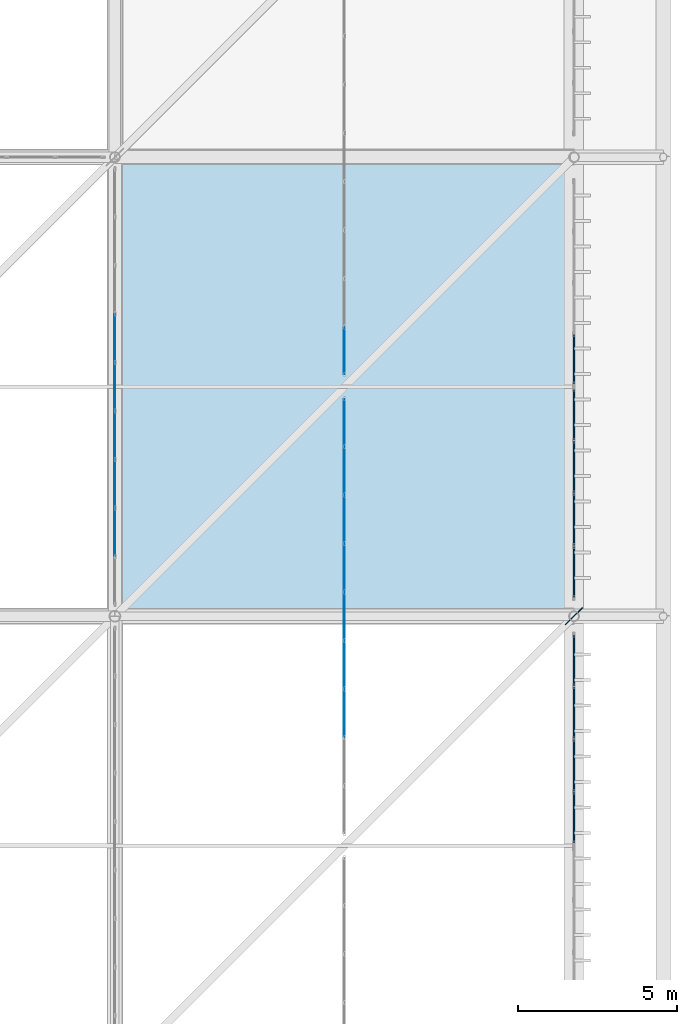
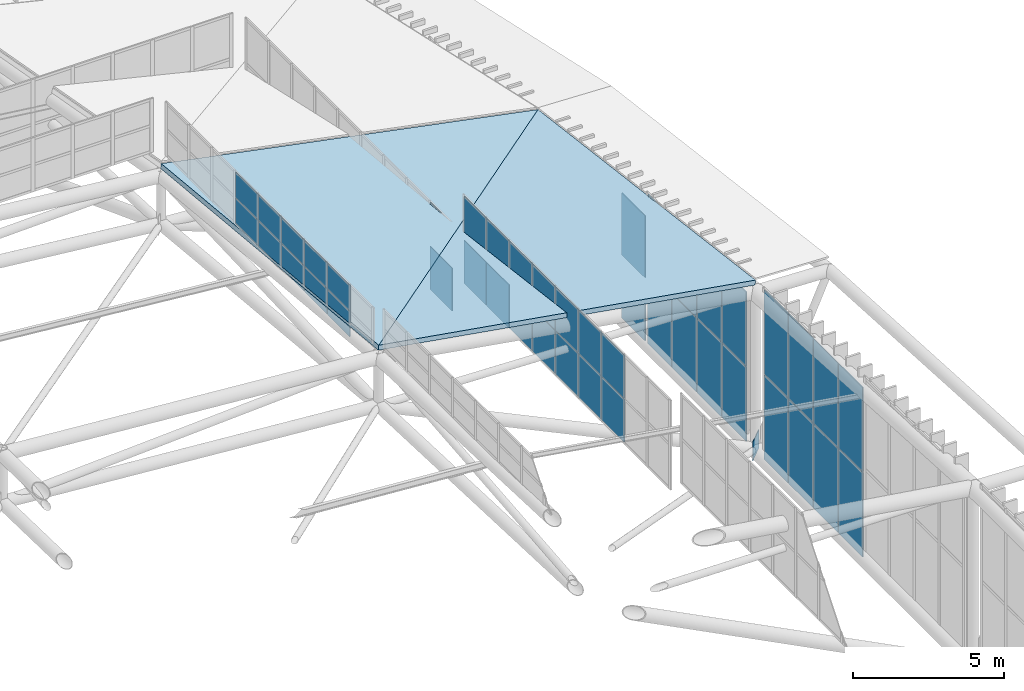
# One storey, part 380 of 397: 45 plates, 2 slabs, 6 elements without a shape of their own.
"""IFC4 building model written with IfcOpenShell, lengths in metres."""

import ifcopenshell
import ifcopenshell.guid

model = None  # the IFC model being written
_history = None  # IfcOwnerHistory: only IFC2X3 demands one
_inside = {}  # id of a spatial element -> (the spatial element, [elements in it])
_under = {}  # id of a project, library or spatial element -> (it, [spatial elements below it])
_declared = {}  # id of a project -> (the project, [libraries it declares])
_typed = {}  # id of a type object -> (the type object, [elements of that type])
_made_of = {}  # id of a material, layer set ... -> (it, [elements and type objects made of it])


def new_model(schema):
    """Start an empty IFC model of exactly this schema.

    Asked for "IFC4X3", IfcOpenShell would pick the latest addendum, in which some entities
    have other attributes; the version numbers below select the first issue.
    IFC2X3 requires an IfcOwnerHistory on every rooted entity: one is made here for all.
    """
    global model, _history
    if schema == "IFC4X3":
        model = ifcopenshell.file(schema_version=(4, 3, 0, 0))
    else:
        model = ifcopenshell.file(schema=schema)
    _inside.clear()
    _under.clear()
    _declared.clear()
    _typed.clear()
    _made_of.clear()
    _history = None
    if model.schema == "IFC2X3":
        org = make("IfcOrganization", Name="unknown")
        user = make(
            "IfcPersonAndOrganization",
            ThePerson=make("IfcPerson", FamilyName="unknown"),
            TheOrganization=org,
        )
        app = make(
            "IfcApplication",
            ApplicationDeveloper=org,
            Version="unknown",
            ApplicationFullName="unknown",
            ApplicationIdentifier="unknown",
        )
        _history = make(
            "IfcOwnerHistory",
            OwningUser=user,
            OwningApplication=app,
            ChangeAction="ADDED",
            CreationDate=0,
        )
    return model


def make(cls, **values):
    """One entity of the class cls with the attributes given. An attribute that is None is left unset."""
    return model.create_entity(
        cls, **{name: value for name, value in values.items() if value is not None}
    )


def rooted(cls, **values):
    """An entity with a GlobalId (a new one), such as an element, a storey or a relation."""
    return make(cls, GlobalId=ifcopenshell.guid.new(), OwnerHistory=_history, **values)


def si_unit(unit_type, name, prefix=None):
    """IfcSIUnit, for example si_unit("LENGTHUNIT", "METRE", prefix="MILLI")."""
    return make("IfcSIUnit", UnitType=unit_type, Prefix=prefix, Name=name)


def assignment(units):
    """IfcUnitAssignment: the units of a project."""
    return None if units is None else make("IfcUnitAssignment", Units=units)


def point(xyz):
    """IfcCartesianPoint."""
    return None if xyz is None else make("IfcCartesianPoint", Coordinates=xyz)


def direction(xyz):
    """IfcDirection."""
    return None if xyz is None else make("IfcDirection", DirectionRatios=xyz)


def frame(location, z_axis=None, x_axis=None):
    """IfcAxis2Placement3D, a coordinate frame: its origin and axes. An axis left out is left unset."""
    return make(
        "IfcAxis2Placement3D",
        Location=point(location),
        Axis=direction(z_axis),
        RefDirection=direction(x_axis),
    )


def frame_2d(location, x_axis=None):
    """IfcAxis2Placement2D, a coordinate frame in the plane: its origin and x axis."""
    return make(
        "IfcAxis2Placement2D", Location=point(location), RefDirection=direction(x_axis)
    )


def origin():
    """The frame at (0, 0, 0) with its axes left unset."""
    return frame((0.0, 0.0, 0.0))


def origin_2d():
    """The frame at (0, 0) in the plane with its x axis left unset."""
    return frame_2d((0.0, 0.0))


def place(relative_to, where):
    """IfcLocalPlacement: puts the frame where relative to a parent placement (None: the world)."""
    return make(
        "IfcLocalPlacement", PlacementRelTo=relative_to, RelativePlacement=where
    )


def context(
    kind, dimensions, precision=None, world=None, true_north=None, identifier=None
):
    """IfcGeometricRepresentationContext, for example the 3D "Model" context."""
    return make(
        "IfcGeometricRepresentationContext",
        ContextIdentifier=identifier,
        ContextType=kind,
        CoordinateSpaceDimension=dimensions,
        Precision=precision,
        WorldCoordinateSystem=world,
        TrueNorth=true_north,
    )


def subcontext(parent, identifier, kind, view, scale=None):
    """IfcGeometricRepresentationSubContext, for example "Body" below "Model"."""
    return make(
        "IfcGeometricRepresentationSubContext",
        ContextIdentifier=identifier,
        ContextType=kind,
        ParentContext=parent,
        TargetScale=scale,
        TargetView=view,
    )


def project(units=None, contexts=None):
    """IfcProject with its units and contexts."""
    return rooted(
        "IfcProject",
        Name="project",
        RepresentationContexts=contexts,
        UnitsInContext=assignment(units),
    )


def spatial(cls, under=None, at=None, **own):
    """A site, building, storey or space (cls), placed at a placement, below another one or the project."""
    s = rooted(cls, ObjectPlacement=at, **own)
    if under is not None:
        _under.setdefault(under.id(), (under, []))[1].append(s)
    return s


def polyline(points):
    """IfcPolyline through the points."""
    return make("IfcPolyline", Points=[point(p) for p in points])


def profile(cls, at=None, kind="AREA", **sizes):
    """A parametric profile (cls). Its sizes go by their IFC names, for example OverallWidth=200.0."""
    return make(cls, ProfileType=kind, Position=at, **sizes)


def rectangle(**sizes):
    """IfcRectangleProfileDef."""
    return profile("IfcRectangleProfileDef", **sizes)


def outline(outer, holes=None, kind="AREA"):
    """IfcArbitraryClosedProfileDef: a profile drawn as a closed curve; with holes, ...WithVoids."""
    if holes is None:
        return make("IfcArbitraryClosedProfileDef", ProfileType=kind, OuterCurve=outer)
    return make(
        "IfcArbitraryProfileDefWithVoids",
        ProfileType=kind,
        OuterCurve=outer,
        InnerCurves=holes,
    )


def extrude(swept, where, along, depth):
    """IfcExtrudedAreaSolid: the profile swept, set in the frame where, extruded along a direction by depth."""
    return make(
        "IfcExtrudedAreaSolid",
        SweptArea=swept,
        Position=where,
        ExtrudedDirection=direction(along),
        Depth=depth,
    )


def shape(context_of_items, identifier, shape_type, items):
    """IfcShapeRepresentation: the items that make up one representation, for example the "Body"."""
    return make(
        "IfcShapeRepresentation",
        ContextOfItems=context_of_items,
        RepresentationIdentifier=identifier,
        RepresentationType=shape_type,
        Items=items,
    )


def material(Name=None, Category=None):
    """IfcMaterial."""
    return make("IfcMaterial", Name=Name, Category=Category)


def layer(
    of_material, thickness, ventilated=None, Name=None, Category=None, Priority=None
):
    """IfcMaterialLayer: one layer of a wall or slab, of a material (None: an air gap)."""
    return make(
        "IfcMaterialLayer",
        Material=of_material,
        LayerThickness=thickness,
        IsVentilated=ventilated,
        Name=Name,
        Category=Category,
        Priority=Priority,
    )


def layer_set(layers, Name=None):
    """IfcMaterialLayerSet."""
    return make("IfcMaterialLayerSet", MaterialLayers=layers, LayerSetName=Name)


def made_of(thing, what):
    """Note that an element or type object is made of a material, layer set ...; save() writes the relation."""
    if what is not None:
        _made_of.setdefault(what.id(), (what, []))[1].append(thing)
    return thing


def type_object(cls, material=None, **own):
    """A type object (cls), such as IfcWallType, which elements share."""
    return made_of(rooted(cls, **own), material)


def element(
    cls,
    number,
    at=None,
    inside=None,
    cuts=None,
    type_object=None,
    material=None,
    context=None,
    identifier="Body",
    shape_type=None,
    held_by="IfcProductDefinitionShape",
    body=None,
    shapes=None,
    **own,
):
    """One element of the class cls, such as IfcWall. Its Tag is "e" and its number.

    at: its placement. inside: the storey or other place that contains it. cuts: it is an
    opening in that element (IfcRelVoidsElement). A single representation is given by context,
    identifier, shape_type and body (its items); several are given by shapes. held_by: the class
    of the entity that holds the representations. save() writes the other relations.
    """
    e = rooted(cls, Tag="e%d" % number, ObjectPlacement=at, **own)
    if body is not None:
        shapes = [shape(context, identifier, shape_type, body)]
    if shapes is not None:
        e.Representation = make(held_by, Representations=shapes)
    if inside is not None:
        _inside.setdefault(inside.id(), (inside, []))[1].append(e)
    if cuts is not None:
        rooted(
            "IfcRelVoidsElement", RelatingBuildingElement=cuts, RelatedOpeningElement=e
        )
    if type_object is not None:
        _typed.setdefault(type_object.id(), (type_object, []))[1].append(e)
    return made_of(e, material)


def aggregate(whole, parts):
    """IfcRelAggregates: a whole, such as a stair, and the parts it consists of."""
    return rooted("IfcRelAggregates", RelatingObject=whole, RelatedObjects=parts)


def save(model, path):
    """Write the relations noted so far, then the file.

    IfcRelAggregates (storeys below a building ...), IfcRelContainedInSpatialStructure (elements
    in a storey), IfcRelDefinesByType, IfcRelAssociatesMaterial and IfcRelDeclares: one each for
    every whole, place, type object, material and project.
    """
    for whole, parts in _under.values():
        aggregate(whole, parts)
    for where, things in _inside.values():
        rooted(
            "IfcRelContainedInSpatialStructure",
            RelatedElements=things,
            RelatingStructure=where,
        )
    for kind, things in _typed.values():
        rooted("IfcRelDefinesByType", RelatedObjects=things, RelatingType=kind)
    for what, things in _made_of.values():
        rooted("IfcRelAssociatesMaterial", RelatedObjects=things, RelatingMaterial=what)
    for by, libraries in _declared.values():
        rooted("IfcRelDeclares", RelatingContext=by, RelatedDefinitions=libraries)
    model.write(path)


model = new_model("IFC4")

# Units and contexts
model_context = context("Model", 3, precision=1e-05, world=origin(), true_north=direction((0.0, 1.0)))
body_context = subcontext(model_context, "Body", "Model", "MODEL_VIEW")
ifc_project = project(units=[si_unit("LENGTHUNIT", "METRE"), si_unit("AREAUNIT", "SQUARE_METRE"), si_unit("VOLUMEUNIT", "CUBIC_METRE"), si_unit("PLANEANGLEUNIT", "RADIAN"), si_unit("MASSUNIT", "GRAM", prefix="KILO")], contexts=[model_context])

# Site, building, storey
site_placement = place(None, origin())
site = spatial("IfcSite", under=ifc_project, at=site_placement, CompositionType="ELEMENT")
building_placement = place(site_placement, origin())
building = spatial("IfcBuilding", under=site, at=building_placement, Name="Qandorah Velis Arena", CompositionType="ELEMENT")
storey_placement = place(building_placement, frame((0.0, 0.0, 27.5)))
storey = spatial("IfcBuildingStorey", under=building, at=storey_placement, Name="RF", CompositionType="ELEMENT", Elevation=27.5)

# Curtain wall, plates
ifc_material_1 = material(Name="Solar-control low-E double glazing", Category="glass")
curtain_wall_type_1 = type_object("IfcCurtainWallType", Name="ARC-CW-SYS17", PredefinedType="USERDEFINED", material=ifc_material_1)
curtain_wall_1_placement = place(storey_placement, origin())
curtain_wall_1 = element("IfcCurtainWall", 1, at=curtain_wall_1_placement, inside=storey, type_object=curtain_wall_type_1, Name="Unitised curtain wall MON-2-5", ObjectType="UNITISED CURTAIN WALL", PredefinedType="USERDEFINED")
ifc_layer_1 = layer(ifc_material_1, 0.030029296875)
ifc_layer_set_1 = layer_set([ifc_layer_1], Name="Solar-control low-E double glazing")
plate_type_1 = type_object("IfcPlateType", Name="ARC-CWP-GLZ30", PredefinedType="CURTAIN_PANEL", material=ifc_layer_set_1)
plate_1_placement = place(storey_placement, frame((108.0, 83.35546875, 5.1943359375), z_axis=(0.0, 0.0, 1.0), x_axis=(0.0, 1.0, 0.0)))
plate_1 = element("IfcPlate", 2, at=plate_1_placement, type_object=plate_type_1, Name="CW17 panel 3.1", PredefinedType="CURTAIN_PANEL", context=body_context, shape_type="SweptSolid", body=[
    extrude(rectangle(XDim=1.4873046875, YDim=0.030029296875, at=origin_2d()), origin(), (0.0, 0.0, 1.0), 1.737548828125),
])
plate_2_placement = place(storey_placement, frame((108.0, 83.35546875, 6.966796875), z_axis=(0.0, 0.0, 1.0), x_axis=(0.0, 1.0, 0.0)))
plate_2 = element("IfcPlate", 3, at=plate_2_placement, type_object=plate_type_1, Name="CW17 panel 3.2", PredefinedType="CURTAIN_PANEL", context=body_context, shape_type="SweptSolid", body=[
    extrude(rectangle(XDim=1.4873046875, YDim=0.030029296875, at=origin_2d()), origin(), (0.0, 0.0, 1.0), 1.737548828125),
])
plate_3_placement = place(storey_placement, frame((108.0, 84.877685546875, 5.1943359375), z_axis=(0.0, 0.0, 1.0), x_axis=(0.0, 1.0, 0.0)))
plate_3 = element("IfcPlate", 4, at=plate_3_placement, type_object=plate_type_1, Name="CW17 panel 4.1", PredefinedType="CURTAIN_PANEL", context=body_context, shape_type="SweptSolid", body=[
    extrude(rectangle(XDim=1.4873046875, YDim=0.030029296875, at=origin_2d()), origin(), (0.0, 0.0, 1.0), 1.737548828125),
])
plate_4_placement = place(storey_placement, frame((108.0, 84.877685546875, 6.966796875), z_axis=(0.0, 0.0, 1.0), x_axis=(0.0, 1.0, 0.0)))
plate_4 = element("IfcPlate", 5, at=plate_4_placement, type_object=plate_type_1, Name="CW17 panel 4.2", PredefinedType="CURTAIN_PANEL", context=body_context, shape_type="SweptSolid", body=[
    extrude(rectangle(XDim=1.4873046875, YDim=0.030029296875, at=origin_2d()), origin(), (0.0, 0.0, 1.0), 1.737548828125),
])
plate_5_placement = place(storey_placement, frame((108.0, 86.39990234375, 5.1943359375), z_axis=(0.0, 0.0, 1.0), x_axis=(0.0, 1.0, 0.0)))
plate_5 = element("IfcPlate", 6, at=plate_5_placement, type_object=plate_type_1, Name="CW17 panel 5.1", PredefinedType="CURTAIN_PANEL", context=body_context, shape_type="SweptSolid", body=[
    extrude(rectangle(XDim=1.4873046875, YDim=0.030029296875, at=origin_2d()), origin(), (0.0, 0.0, 1.0), 1.737548828125),
])
plate_6_placement = place(storey_placement, frame((108.0, 86.39990234375, 6.966796875), z_axis=(0.0, 0.0, 1.0), x_axis=(0.0, 1.0, 0.0)))
plate_6 = element("IfcPlate", 7, at=plate_6_placement, type_object=plate_type_1, Name="CW17 panel 5.2", PredefinedType="CURTAIN_PANEL", context=body_context, shape_type="SweptSolid", body=[
    extrude(rectangle(XDim=1.4873046875, YDim=0.030029296875, at=origin_2d()), origin(), (0.0, 0.0, 1.0), 1.737548828125),
])
plate_7_placement = place(storey_placement, frame((108.0, 87.922119140625, 5.1943359375), z_axis=(0.0, 0.0, 1.0), x_axis=(0.0, 1.0, 0.0)))
plate_7 = element("IfcPlate", 8, at=plate_7_placement, type_object=plate_type_1, Name="CW17 panel 6.1", PredefinedType="CURTAIN_PANEL", context=body_context, shape_type="SweptSolid", body=[
    extrude(rectangle(XDim=1.4873046875, YDim=0.030029296875, at=origin_2d()), origin(), (0.0, 0.0, 1.0), 1.737548828125),
])
plate_8_placement = place(storey_placement, frame((108.0, 87.922119140625, 6.966796875), z_axis=(0.0, 0.0, 1.0), x_axis=(0.0, 1.0, 0.0)))
plate_8 = element("IfcPlate", 9, at=plate_8_placement, type_object=plate_type_1, Name="CW17 panel 6.2", PredefinedType="CURTAIN_PANEL", context=body_context, shape_type="SweptSolid", body=[
    extrude(rectangle(XDim=1.4873046875, YDim=0.030029296875, at=origin_2d()), origin(), (0.0, 0.0, 1.0), 1.737548828125),
])
plate_9_placement = place(storey_placement, frame((108.0, 89.4443359375, 5.1943359375), z_axis=(0.0, 0.0, 1.0), x_axis=(0.0, 1.0, 0.0)))
plate_9 = element("IfcPlate", 10, at=plate_9_placement, type_object=plate_type_1, Name="CW17 panel 7.1", PredefinedType="CURTAIN_PANEL", context=body_context, shape_type="SweptSolid", body=[
    extrude(rectangle(XDim=1.4873046875, YDim=0.030029296875, at=origin_2d()), origin(), (0.0, 0.0, 1.0), 1.737548828125),
])
plate_10_placement = place(storey_placement, frame((108.0, 89.4443359375, 6.966796875), z_axis=(0.0, 0.0, 1.0), x_axis=(0.0, 1.0, 0.0)))
plate_10 = element("IfcPlate", 11, at=plate_10_placement, type_object=plate_type_1, Name="CW17 panel 7.2", PredefinedType="CURTAIN_PANEL", context=body_context, shape_type="SweptSolid", body=[
    extrude(rectangle(XDim=1.4873046875, YDim=0.030029296875, at=origin_2d()), origin(), (0.0, 0.0, 1.0), 1.737548828125),
])
plate_11_placement = place(storey_placement, frame((108.0, 90.966552734375, 5.1943359375), z_axis=(0.0, 0.0, 1.0), x_axis=(0.0, 1.0, 0.0)))
plate_11 = element("IfcPlate", 12, at=plate_11_placement, type_object=plate_type_1, Name="CW17 panel 8.1", PredefinedType="CURTAIN_PANEL", context=body_context, shape_type="SweptSolid", body=[
    extrude(rectangle(XDim=1.4873046875, YDim=0.030029296875, at=origin_2d()), origin(), (0.0, 0.0, 1.0), 1.737548828125),
])
plate_12_placement = place(storey_placement, frame((108.0, 90.966552734375, 6.966796875), z_axis=(0.0, 0.0, 1.0), x_axis=(0.0, 1.0, 0.0)))
plate_12 = element("IfcPlate", 13, at=plate_12_placement, type_object=plate_type_1, Name="CW17 panel 8.2", PredefinedType="CURTAIN_PANEL", context=body_context, shape_type="SweptSolid", body=[
    extrude(rectangle(XDim=1.4873046875, YDim=0.030029296875, at=origin_2d()), origin(), (0.0, 0.0, 1.0), 1.737548828125),
])
plate_13_placement = place(storey_placement, frame((108.0, 92.47509765625, 5.1943359375), z_axis=(0.0, 0.0, 1.0), x_axis=(0.0, 1.0, 0.0)))
plate_13 = element("IfcPlate", 14, at=plate_13_placement, type_object=plate_type_1, Name="CW17 panel 9.1", PredefinedType="CURTAIN_PANEL", context=body_context, shape_type="SweptSolid", body=[
    extrude(rectangle(XDim=1.459716796875, YDim=0.030029296875, at=origin_2d()), origin(), (0.0, 0.0, 1.0), 1.737548828125),
])
plate_14_placement = place(storey_placement, frame((108.0, 92.47509765625, 6.966796875), z_axis=(0.0, 0.0, 1.0), x_axis=(0.0, 1.0, 0.0)))
plate_14 = element("IfcPlate", 15, at=plate_14_placement, type_object=plate_type_1, Name="CW17 panel 9.2", PredefinedType="CURTAIN_PANEL", context=body_context, shape_type="SweptSolid", body=[
    extrude(rectangle(XDim=1.459716796875, YDim=0.030029296875, at=origin_2d()), origin(), (0.0, 0.0, 1.0), 1.737548828125),
])
aggregate(curtain_wall_1, [plate_1, plate_2, plate_3, plate_4, plate_5, plate_6, plate_7, plate_8, plate_9, plate_10, plate_11, plate_12, plate_13, plate_14])

curtain_wall_type_2 = type_object("IfcCurtainWallType", Name="ARC-CW-SYS18", PredefinedType="USERDEFINED", material=ifc_material_1)
curtain_wall_2_placement = place(storey_placement, origin())
curtain_wall_2 = element("IfcCurtainWall", 16, at=curtain_wall_2_placement, inside=storey, type_object=curtain_wall_type_2, Name="Unitised curtain wall MON-2-6", ObjectType="UNITISED CURTAIN WALL", PredefinedType="USERDEFINED")
plate_15_placement = place(storey_placement, frame((108.0, 94.724853515625, 3.58642578125), z_axis=(0.0, 0.0, 1.0), x_axis=(0.0, 1.0, 0.0)))
plate_15 = element("IfcPlate", 17, at=plate_15_placement, type_object=plate_type_1, Name="CW18 panel 1.1", PredefinedType="CURTAIN_PANEL", context=body_context, shape_type="SweptSolid", body=[
    extrude(rectangle(XDim=1.459716796875, YDim=0.030029296875, at=origin_2d()), origin(), (0.0, 0.0, 1.0), 1.737548828125),
])
plate_16_placement = place(storey_placement, frame((108.0, 94.724853515625, 5.35888671875), z_axis=(0.0, 0.0, 1.0), x_axis=(0.0, 1.0, 0.0)))
plate_16 = element("IfcPlate", 18, at=plate_16_placement, type_object=plate_type_1, Name="CW18 panel 1.2", PredefinedType="CURTAIN_PANEL", context=body_context, shape_type="SweptSolid", body=[
    extrude(rectangle(XDim=1.459716796875, YDim=0.030029296875, at=origin_2d()), origin(), (0.0, 0.0, 1.0), 1.737548828125),
])
aggregate(curtain_wall_2, [plate_15, plate_16])

curtain_wall_type_3 = type_object("IfcCurtainWallType", Name="ARC-CW-SYS15", PredefinedType="USERDEFINED", material=ifc_material_1)
curtain_wall_3_placement = place(storey_placement, origin())
curtain_wall_3 = element("IfcCurtainWall", 19, at=curtain_wall_3_placement, inside=storey, type_object=curtain_wall_type_3, Name="Unitised curtain wall OCULUS-2-5", ObjectType="UNITISED CURTAIN WALL", PredefinedType="USERDEFINED")
plate_17_placement = place(storey_placement, frame((100.800048828125, 89.033447265625, 8.53125), z_axis=(0.0, 0.0, 1.0), x_axis=(0.0, 1.0, 0.0)))
plate_17 = element("IfcPlate", 20, at=plate_17_placement, type_object=plate_type_1, Name="CW15 panel 2.1", PredefinedType="CURTAIN_PANEL", context=body_context, shape_type="SweptSolid", body=[
    extrude(rectangle(XDim=1.4873046875, YDim=0.030029296875, at=origin_2d()), origin(), (0.0, 0.0, 1.0), 1.012451171875),
])
plate_18_placement = place(storey_placement, frame((100.800048828125, 89.033447265625, 9.57861328125), z_axis=(0.0, 0.0, 1.0), x_axis=(0.0, 1.0, 0.0)))
plate_18 = element("IfcPlate", 21, at=plate_18_placement, type_object=plate_type_1, Name="CW15 panel 2.2", PredefinedType="CURTAIN_PANEL", context=body_context, shape_type="SweptSolid", body=[
    extrude(rectangle(XDim=1.4873046875, YDim=0.030029296875, at=origin_2d()), origin(), (0.0, 0.0, 1.0), 1.012451171875),
])
plate_19_placement = place(storey_placement, frame((100.800048828125, 90.5556640625, 8.53125), z_axis=(0.0, 0.0, 1.0), x_axis=(0.0, 1.0, 0.0)))
plate_19 = element("IfcPlate", 22, at=plate_19_placement, type_object=plate_type_1, Name="CW15 panel 3.1", PredefinedType="CURTAIN_PANEL", context=body_context, shape_type="SweptSolid", body=[
    extrude(rectangle(XDim=1.4873046875, YDim=0.030029296875, at=origin_2d()), origin(), (0.0, 0.0, 1.0), 1.012451171875),
])
plate_20_placement = place(storey_placement, frame((100.800048828125, 90.5556640625, 9.57861328125), z_axis=(0.0, 0.0, 1.0), x_axis=(0.0, 1.0, 0.0)))
plate_20 = element("IfcPlate", 23, at=plate_20_placement, type_object=plate_type_1, Name="CW15 panel 3.2", PredefinedType="CURTAIN_PANEL", context=body_context, shape_type="SweptSolid", body=[
    extrude(rectangle(XDim=1.4873046875, YDim=0.030029296875, at=origin_2d()), origin(), (0.0, 0.0, 1.0), 1.012451171875),
])
plate_21_placement = place(storey_placement, frame((100.800048828125, 92.077880859375, 8.53125), z_axis=(0.0, 0.0, 1.0), x_axis=(0.0, 1.0, 0.0)))
plate_21 = element("IfcPlate", 24, at=plate_21_placement, type_object=plate_type_1, Name="CW15 panel 4.1", PredefinedType="CURTAIN_PANEL", context=body_context, shape_type="SweptSolid", body=[
    extrude(rectangle(XDim=1.4873046875, YDim=0.030029296875, at=origin_2d()), origin(), (0.0, 0.0, 1.0), 1.012451171875),
])
plate_22_placement = place(storey_placement, frame((100.800048828125, 92.077880859375, 9.57861328125), z_axis=(0.0, 0.0, 1.0), x_axis=(0.0, 1.0, 0.0)))
plate_22 = element("IfcPlate", 25, at=plate_22_placement, type_object=plate_type_1, Name="CW15 panel 4.2", PredefinedType="CURTAIN_PANEL", context=body_context, shape_type="SweptSolid", body=[
    extrude(rectangle(XDim=1.4873046875, YDim=0.030029296875, at=origin_2d()), origin(), (0.0, 0.0, 1.0), 1.012451171875),
])
plate_23_placement = place(storey_placement, frame((100.800048828125, 93.60009765625, 8.53125), z_axis=(0.0, 0.0, 1.0), x_axis=(0.0, 1.0, 0.0)))
plate_23 = element("IfcPlate", 26, at=plate_23_placement, type_object=plate_type_1, Name="CW15 panel 5.1", PredefinedType="CURTAIN_PANEL", context=body_context, shape_type="SweptSolid", body=[
    extrude(rectangle(XDim=1.4873046875, YDim=0.030029296875, at=origin_2d()), origin(), (0.0, 0.0, 1.0), 1.012451171875),
])
plate_24_placement = place(storey_placement, frame((100.800048828125, 93.60009765625, 9.57861328125), z_axis=(0.0, 0.0, 1.0), x_axis=(0.0, 1.0, 0.0)))
plate_24 = element("IfcPlate", 27, at=plate_24_placement, type_object=plate_type_1, Name="CW15 panel 5.2", PredefinedType="CURTAIN_PANEL", context=body_context, shape_type="SweptSolid", body=[
    extrude(rectangle(XDim=1.4873046875, YDim=0.030029296875, at=origin_2d()), origin(), (0.0, 0.0, 1.0), 1.012451171875),
])
plate_25_placement = place(storey_placement, frame((100.800048828125, 95.122314453125, 8.53125), z_axis=(0.0, 0.0, 1.0), x_axis=(0.0, 1.0, 0.0)))
plate_25 = element("IfcPlate", 28, at=plate_25_placement, type_object=plate_type_1, Name="CW15 panel 6.1", PredefinedType="CURTAIN_PANEL", context=body_context, shape_type="SweptSolid", body=[
    extrude(rectangle(XDim=1.4873046875, YDim=0.030029296875, at=origin_2d()), origin(), (0.0, 0.0, 1.0), 1.012451171875),
])
plate_26_placement = place(storey_placement, frame((100.800048828125, 95.122314453125, 9.57861328125), z_axis=(0.0, 0.0, 1.0), x_axis=(0.0, 1.0, 0.0)))
plate_26 = element("IfcPlate", 29, at=plate_26_placement, type_object=plate_type_1, Name="CW15 panel 6.2", PredefinedType="CURTAIN_PANEL", context=body_context, shape_type="SweptSolid", body=[
    extrude(rectangle(XDim=1.4873046875, YDim=0.030029296875, at=origin_2d()), origin(), (0.0, 0.0, 1.0), 1.012451171875),
])
aggregate(curtain_wall_3, [plate_17, plate_18, plate_19, plate_20, plate_21, plate_22, plate_23, plate_24, plate_25, plate_26])

curtain_wall_4_placement = place(storey_placement, origin())
curtain_wall_4 = element("IfcCurtainWall", 30, at=curtain_wall_4_placement, inside=storey, type_object=curtain_wall_type_3, Name="Unitised curtain wall CROWN-2-06S2", ObjectType="UNITISED CURTAIN WALL", PredefinedType="USERDEFINED")
ifc_layer_2 = layer(ifc_material_1, 0.035888671875)
ifc_layer_set_2 = layer_set([ifc_layer_2], Name="Solar-control low-E double glazing")
plate_type_2 = type_object("IfcPlateType", Name="ARC-CWP-GLZ36", PredefinedType="CURTAIN_PANEL", material=ifc_layer_set_2)
plate_27_placement = place(storey_placement, frame((115.199951171875, 80.081298828125, 0.050048828125), z_axis=(0.0, 0.0, 1.0), x_axis=(0.0, 1.0, 0.0)))
plate_27 = element("IfcPlate", 31, at=plate_27_placement, type_object=plate_type_2, Name="CW15 panel 1.1", PredefinedType="CURTAIN_PANEL", context=body_context, shape_type="SweptSolid", body=[
    extrude(rectangle(XDim=1.58251953125, YDim=0.035888671875, at=origin_2d()), origin(), (0.0, 0.0, 1.0), 3.4033203125),
])
plate_28_placement = place(storey_placement, frame((115.199951171875, 80.081298828125, 3.493408203125), z_axis=(0.0, 0.0, 1.0), x_axis=(0.0, 1.0, 0.0)))
plate_28 = element("IfcPlate", 32, at=plate_28_placement, type_object=plate_type_2, Name="CW15 panel 1.2", PredefinedType="CURTAIN_PANEL", context=body_context, shape_type="SweptSolid", body=[
    extrude(rectangle(XDim=1.58251953125, YDim=0.035888671875, at=origin_2d()), origin(), (0.0, 0.0, 1.0), 3.4033203125),
])
plate_29_placement = place(storey_placement, frame((115.199951171875, 81.71875, 0.050048828125), z_axis=(0.0, 0.0, 1.0), x_axis=(0.0, 1.0, 0.0)))
plate_29 = element("IfcPlate", 33, at=plate_29_placement, type_object=plate_type_2, Name="CW15 panel 2.1", PredefinedType="CURTAIN_PANEL", context=body_context, shape_type="SweptSolid", body=[
    extrude(rectangle(XDim=1.612548828125, YDim=0.035888671875, at=origin_2d()), origin(), (0.0, 0.0, 1.0), 3.4033203125),
])
plate_30_placement = place(storey_placement, frame((115.199951171875, 81.71875, 3.493408203125), z_axis=(0.0, 0.0, 1.0), x_axis=(0.0, 1.0, 0.0)))
plate_30 = element("IfcPlate", 34, at=plate_30_placement, type_object=plate_type_2, Name="CW15 panel 2.2", PredefinedType="CURTAIN_PANEL", context=body_context, shape_type="SweptSolid", body=[
    extrude(rectangle(XDim=1.612548828125, YDim=0.035888671875, at=origin_2d()), origin(), (0.0, 0.0, 1.0), 3.4033203125),
])
plate_31_placement = place(storey_placement, frame((115.199951171875, 83.371337890625, 0.050048828125), z_axis=(0.0, 0.0, 1.0), x_axis=(0.0, 1.0, 0.0)))
plate_31 = element("IfcPlate", 35, at=plate_31_placement, type_object=plate_type_2, Name="CW15 panel 3.1", PredefinedType="CURTAIN_PANEL", context=body_context, shape_type="SweptSolid", body=[
    extrude(rectangle(XDim=1.612548828125, YDim=0.035888671875, at=origin_2d()), origin(), (0.0, 0.0, 1.0), 3.4033203125),
])
plate_32_placement = place(storey_placement, frame((115.199951171875, 83.371337890625, 3.493408203125), z_axis=(0.0, 0.0, 1.0), x_axis=(0.0, 1.0, 0.0)))
plate_32 = element("IfcPlate", 36, at=plate_32_placement, type_object=plate_type_2, Name="CW15 panel 3.2", PredefinedType="CURTAIN_PANEL", context=body_context, shape_type="SweptSolid", body=[
    extrude(rectangle(XDim=1.612548828125, YDim=0.035888671875, at=origin_2d()), origin(), (0.0, 0.0, 1.0), 3.4033203125),
])
plate_33_placement = place(storey_placement, frame((115.199951171875, 85.0087890625, 0.050048828125), z_axis=(0.0, 0.0, 1.0), x_axis=(0.0, 1.0, 0.0)))
plate_33 = element("IfcPlate", 37, at=plate_33_placement, type_object=plate_type_2, Name="CW15 panel 4.1", PredefinedType="CURTAIN_PANEL", context=body_context, shape_type="SweptSolid", body=[
    extrude(rectangle(XDim=1.58251953125, YDim=0.035888671875, at=origin_2d()), origin(), (0.0, 0.0, 1.0), 3.4033203125),
])
plate_34_placement = place(storey_placement, frame((115.199951171875, 85.0087890625, 3.493408203125), z_axis=(0.0, 0.0, 1.0), x_axis=(0.0, 1.0, 0.0)))
plate_34 = element("IfcPlate", 38, at=plate_34_placement, type_object=plate_type_2, Name="CW15 panel 4.2", PredefinedType="CURTAIN_PANEL", context=body_context, shape_type="SweptSolid", body=[
    extrude(rectangle(XDim=1.58251953125, YDim=0.035888671875, at=origin_2d()), origin(), (0.0, 0.0, 1.0), 3.4033203125),
])
aggregate(curtain_wall_4, [plate_27, plate_28, plate_29, plate_30, plate_31, plate_32, plate_33, plate_34])

curtain_wall_5_placement = place(storey_placement, origin())
curtain_wall_5 = element("IfcCurtainWall", 39, at=curtain_wall_5_placement, inside=storey, type_object=curtain_wall_type_3, Name="Unitised curtain wall CROWN-2-07S1", ObjectType="UNITISED CURTAIN WALL", PredefinedType="USERDEFINED")
plate_35_placement = place(storey_placement, frame((115.199951171875, 87.791259765625, 0.0498046875), z_axis=(0.0, 0.0, 1.0), x_axis=(0.0, 1.0, 0.0)))
plate_35 = element("IfcPlate", 40, at=plate_35_placement, type_object=plate_type_2, Name="CW15 panel 1.1", PredefinedType="CURTAIN_PANEL", context=body_context, shape_type="SweptSolid", body=[
    extrude(rectangle(XDim=1.58251953125, YDim=0.035888671875, at=origin_2d()), origin(), (0.0, 0.0, 1.0), 2.994873046875),
])
plate_36_placement = place(storey_placement, frame((115.199951171875, 87.791259765625, 3.084716796875), z_axis=(0.0, 0.0, 1.0), x_axis=(0.0, 1.0, 0.0)))
plate_36 = element("IfcPlate", 41, at=plate_36_placement, type_object=plate_type_2, Name="CW15 panel 1.2", PredefinedType="CURTAIN_PANEL", context=body_context, shape_type="SweptSolid", body=[
    extrude(rectangle(XDim=1.58251953125, YDim=0.035888671875, at=origin_2d()), origin(), (0.0, 0.0, 1.0), 2.99462890625),
])
plate_37_placement = place(storey_placement, frame((115.199951171875, 89.4287109375, 0.0498046875), z_axis=(0.0, 0.0, 1.0), x_axis=(0.0, 1.0, 0.0)))
plate_37 = element("IfcPlate", 42, at=plate_37_placement, type_object=plate_type_2, Name="CW15 panel 2.1", PredefinedType="CURTAIN_PANEL", context=body_context, shape_type="SweptSolid", body=[
    extrude(rectangle(XDim=1.612548828125, YDim=0.035888671875, at=origin_2d()), origin(), (0.0, 0.0, 1.0), 2.994873046875),
])
plate_38_placement = place(storey_placement, frame((115.199951171875, 89.4287109375, 3.084716796875), z_axis=(0.0, 0.0, 1.0), x_axis=(0.0, 1.0, 0.0)))
plate_38 = element("IfcPlate", 43, at=plate_38_placement, type_object=plate_type_2, Name="CW15 panel 2.2", PredefinedType="CURTAIN_PANEL", context=body_context, shape_type="SweptSolid", body=[
    extrude(rectangle(XDim=1.612548828125, YDim=0.035888671875, at=origin_2d()), origin(), (0.0, 0.0, 1.0), 2.99462890625),
])
plate_39_placement = place(storey_placement, frame((115.199951171875, 91.081298828125, 0.0498046875), z_axis=(0.0, 0.0, 1.0), x_axis=(0.0, 1.0, 0.0)))
plate_39 = element("IfcPlate", 44, at=plate_39_placement, type_object=plate_type_2, Name="CW15 panel 3.1", PredefinedType="CURTAIN_PANEL", context=body_context, shape_type="SweptSolid", body=[
    extrude(rectangle(XDim=1.612548828125, YDim=0.035888671875, at=origin_2d()), origin(), (0.0, 0.0, 1.0), 2.994873046875),
])
plate_40_placement = place(storey_placement, frame((115.199951171875, 91.081298828125, 3.084716796875), z_axis=(0.0, 0.0, 1.0), x_axis=(0.0, 1.0, 0.0)))
plate_40 = element("IfcPlate", 45, at=plate_40_placement, type_object=plate_type_2, Name="CW15 panel 3.2", PredefinedType="CURTAIN_PANEL", context=body_context, shape_type="SweptSolid", body=[
    extrude(rectangle(XDim=1.612548828125, YDim=0.035888671875, at=origin_2d()), origin(), (0.0, 0.0, 1.0), 2.99462890625),
])
plate_41_placement = place(storey_placement, frame((115.199951171875, 92.71875, 0.0498046875), z_axis=(0.0, 0.0, 1.0), x_axis=(0.0, 1.0, 0.0)))
plate_41 = element("IfcPlate", 46, at=plate_41_placement, type_object=plate_type_2, Name="CW15 panel 4.1", PredefinedType="CURTAIN_PANEL", context=body_context, shape_type="SweptSolid", body=[
    extrude(rectangle(XDim=1.58251953125, YDim=0.035888671875, at=origin_2d()), origin(), (0.0, 0.0, 1.0), 2.994873046875),
])
plate_42_placement = place(storey_placement, frame((115.199951171875, 92.71875, 3.084716796875), z_axis=(0.0, 0.0, 1.0), x_axis=(0.0, 1.0, 0.0)))
plate_42 = element("IfcPlate", 47, at=plate_42_placement, type_object=plate_type_2, Name="CW15 panel 4.2", PredefinedType="CURTAIN_PANEL", context=body_context, shape_type="SweptSolid", body=[
    extrude(rectangle(XDim=1.58251953125, YDim=0.035888671875, at=origin_2d()), origin(), (0.0, 0.0, 1.0), 2.99462890625),
])
aggregate(curtain_wall_5, [plate_35, plate_36, plate_37, plate_38, plate_39, plate_40, plate_41, plate_42])

curtain_wall_type_4 = type_object("IfcCurtainWallType", Name="ARC-CW-SYS16", PredefinedType="USERDEFINED", material=ifc_material_1)
curtain_wall_6_placement = place(storey_placement, origin())
curtain_wall_6 = element("IfcCurtainWall", 48, at=curtain_wall_6_placement, inside=storey, type_object=curtain_wall_type_4, Name="Unitised curtain wall CROWN-2-07S2", ObjectType="UNITISED CURTAIN WALL", PredefinedType="USERDEFINED")
plate_43_placement = place(storey_placement, frame((115.199951171875, 94.45947265625, 0.0498046875), z_axis=(0.0, 0.0, 1.0), x_axis=(0.0, 1.0, 0.0)))
plate_43 = element("IfcPlate", 49, at=plate_43_placement, type_object=plate_type_2, Name="CW16 panel 1.1", PredefinedType="CURTAIN_PANEL", context=body_context, shape_type="SweptSolid", body=[
    extrude(rectangle(XDim=1.538818359375, YDim=0.035888671875, at=origin_2d()), origin(), (0.0, 0.0, 1.0), 2.505615234375),
])
plate_44_placement = place(storey_placement, frame((115.199951171875, 94.45947265625, 2.595703125), z_axis=(0.0, 0.0, 1.0), x_axis=(0.0, 1.0, 0.0)))
plate_44 = element("IfcPlate", 50, at=plate_44_placement, type_object=plate_type_2, Name="CW16 panel 1.2", PredefinedType="CURTAIN_PANEL", context=body_context, shape_type="SweptSolid", body=[
    extrude(rectangle(XDim=1.538818359375, YDim=0.035888671875, at=origin_2d()), origin(), (0.0, 0.0, 1.0), 2.505615234375),
])
aggregate(curtain_wall_6, [plate_43, plate_44])

# Plate
ifc_material_2 = material(Name="Steel S355", Category="steel")
ifc_layer_3 = layer(ifc_material_2, 0.02490234375)
ifc_layer_set_3 = layer_set([ifc_layer_3], Name="Steel S355")
plate_type_3 = type_object("IfcPlateType", Name="STR-PLT-GUS25", PredefinedType="SHEET", material=ifc_layer_set_3)
plate_45_placement = place(storey_placement, frame((115.199951171875, 86.39990234375, -0.125), z_axis=(0.0, 0.0, 1.0), x_axis=(0.707106781187, 0.707106781187, 0.0)))
element("IfcPlate", 51, at=plate_45_placement, inside=storey, type_object=plate_type_3, Name="Space frame gusset plate 7.5", PredefinedType="SHEET", context=body_context, shape_type="SweptSolid", body=[
    extrude(rectangle(XDim=0.75, YDim=0.02490234375, at=origin_2d()), origin(), (0.0, 0.0, 1.0), 0.75),
])

# Slabs
ifc_material_3 = material(Name="Concrete C40/50", Category="concrete")
ifc_layer_4 = layer(ifc_material_3, 0.179931640625)
ifc_layer_set_4 = layer_set([ifc_layer_4], Name="Concrete C40/50")
slab_type = type_object("IfcSlabType", Name="STR-SLB-RF180", PredefinedType="ROOF", material=ifc_layer_set_4)
slab_1_placement = place(storey_placement, frame((100.800048828125, 86.39990234375, 9.33251953125), z_axis=(0.163716693108, 0.125041730423, 0.978550668106), x_axis=(0.986291594235, 0.0, -0.165011790918)))
element("IfcSlab", 52, at=slab_1_placement, inside=storey, type_object=slab_type, Name="Arena space-frame roof deck panel 6.5A", PredefinedType="ROOF", context=body_context, shape_type="SweptSolid", body=[
    extrude(outline(polyline([(0.0, 0.0), (14.600045694318883, 0.0), (14.90368189259691, 14.514060330444327), (0.0, 0.0)])), origin(), (0.0, 0.0, -1.0), 0.179931640625),
])
slab_2_placement = place(storey_placement, frame((100.800048828125, 86.39990234375, 9.33251953125), z_axis=(0.193753279654, 0.09439993763, 0.976497986889), x_axis=(0.692192866026, 0.692204601688, -0.204259211847)))
element("IfcSlab", 53, at=slab_2_placement, inside=storey, type_object=slab_type, Name="Arena space-frame roof deck panel 6.5B", PredefinedType="ROOF", context=body_context, shape_type="SweptSolid", body=[
    extrude(outline(polyline([(0.0, 0.0), (20.80330938171854, -1.6653345369377348e-16), (10.25219483577775, 10.207577281303415), (0.0, 0.0)])), origin(), (0.0, 0.0, -1.0), 0.179931640625),
])

save(model, "model.ifc")
